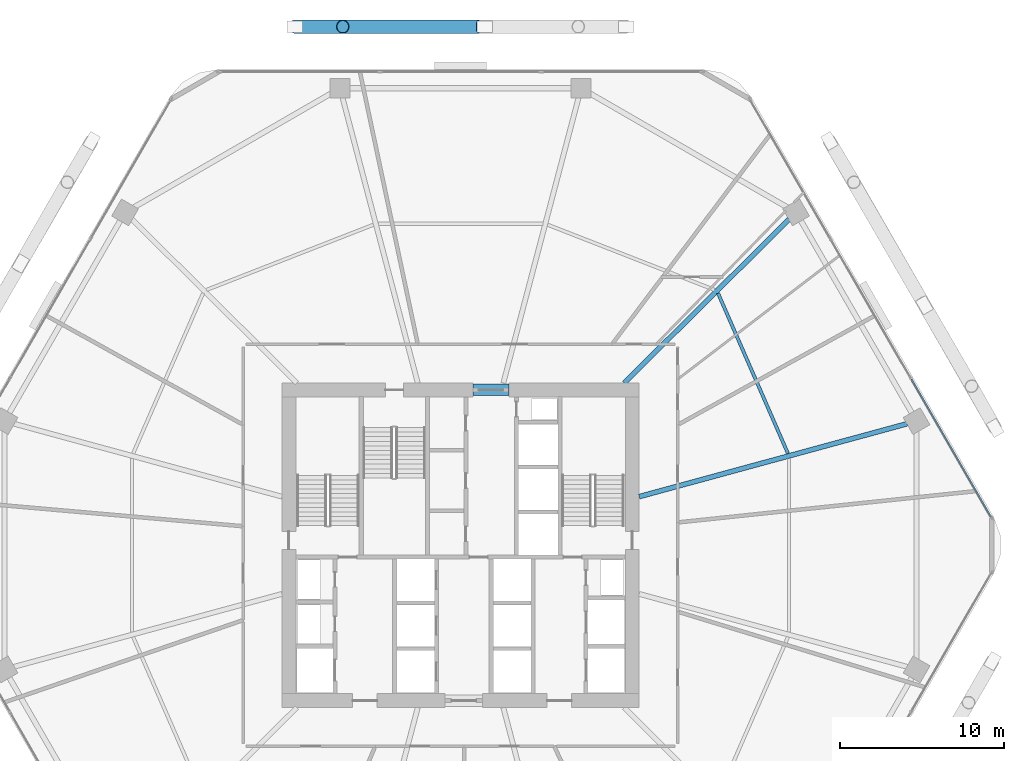
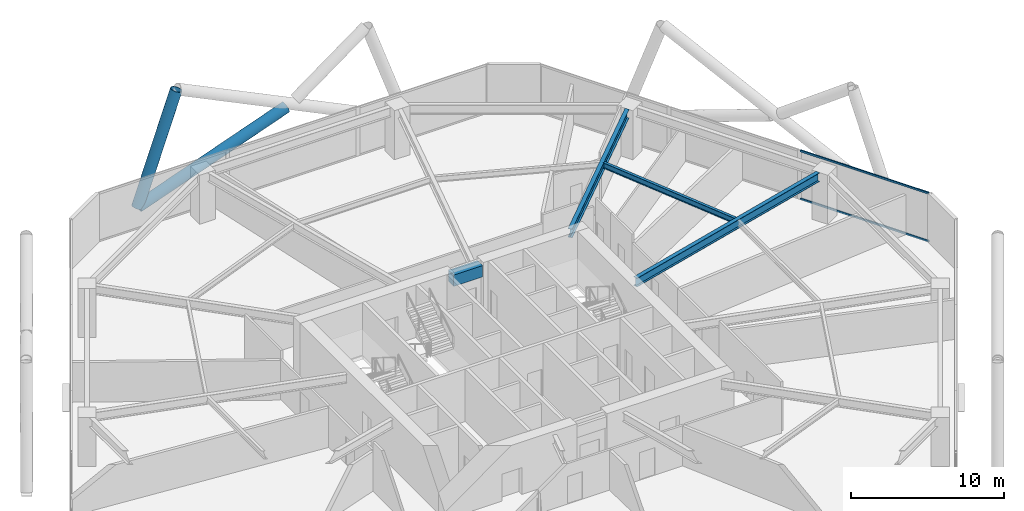
# One storey, part 18 of 30: 4 beams, 4 members, 1 element without a shape of its own.
"""IFC4 building model written with IfcOpenShell, lengths in metres."""

import ifcopenshell
import ifcopenshell.guid

model = None  # the IFC model being written
_history = None  # IfcOwnerHistory: only IFC2X3 demands one
_inside = {}  # id of a spatial element -> (the spatial element, [elements in it])
_under = {}  # id of a project, library or spatial element -> (it, [spatial elements below it])
_declared = {}  # id of a project -> (the project, [libraries it declares])
_typed = {}  # id of a type object -> (the type object, [elements of that type])
_made_of = {}  # id of a material, layer set ... -> (it, [elements and type objects made of it])


def new_model(schema):
    """Start an empty IFC model of exactly this schema.

    Asked for "IFC4X3", IfcOpenShell would pick the latest addendum, in which some entities
    have other attributes; the version numbers below select the first issue.
    IFC2X3 requires an IfcOwnerHistory on every rooted entity: one is made here for all.
    """
    global model, _history
    if schema == "IFC4X3":
        model = ifcopenshell.file(schema_version=(4, 3, 0, 0))
    else:
        model = ifcopenshell.file(schema=schema)
    _inside.clear()
    _under.clear()
    _declared.clear()
    _typed.clear()
    _made_of.clear()
    _history = None
    if model.schema == "IFC2X3":
        org = make("IfcOrganization", Name="unknown")
        user = make(
            "IfcPersonAndOrganization",
            ThePerson=make("IfcPerson", FamilyName="unknown"),
            TheOrganization=org,
        )
        app = make(
            "IfcApplication",
            ApplicationDeveloper=org,
            Version="unknown",
            ApplicationFullName="unknown",
            ApplicationIdentifier="unknown",
        )
        _history = make(
            "IfcOwnerHistory",
            OwningUser=user,
            OwningApplication=app,
            ChangeAction="ADDED",
            CreationDate=0,
        )
    return model


def make(cls, **values):
    """One entity of the class cls with the attributes given. An attribute that is None is left unset."""
    return model.create_entity(
        cls, **{name: value for name, value in values.items() if value is not None}
    )


def rooted(cls, **values):
    """An entity with a GlobalId (a new one), such as an element, a storey or a relation."""
    return make(cls, GlobalId=ifcopenshell.guid.new(), OwnerHistory=_history, **values)


def si_unit(unit_type, name, prefix=None):
    """IfcSIUnit, for example si_unit("LENGTHUNIT", "METRE", prefix="MILLI")."""
    return make("IfcSIUnit", UnitType=unit_type, Prefix=prefix, Name=name)


def assignment(units):
    """IfcUnitAssignment: the units of a project."""
    return None if units is None else make("IfcUnitAssignment", Units=units)


def point(xyz):
    """IfcCartesianPoint."""
    return None if xyz is None else make("IfcCartesianPoint", Coordinates=xyz)


def direction(xyz):
    """IfcDirection."""
    return None if xyz is None else make("IfcDirection", DirectionRatios=xyz)


def frame(location, z_axis=None, x_axis=None):
    """IfcAxis2Placement3D, a coordinate frame: its origin and axes. An axis left out is left unset."""
    return make(
        "IfcAxis2Placement3D",
        Location=point(location),
        Axis=direction(z_axis),
        RefDirection=direction(x_axis),
    )


def frame_2d(location, x_axis=None):
    """IfcAxis2Placement2D, a coordinate frame in the plane: its origin and x axis."""
    return make(
        "IfcAxis2Placement2D", Location=point(location), RefDirection=direction(x_axis)
    )


def origin():
    """The frame at (0, 0, 0) with its axes left unset."""
    return frame((0.0, 0.0, 0.0))


def origin_2d():
    """The frame at (0, 0) in the plane with its x axis left unset."""
    return frame_2d((0.0, 0.0))


def place(relative_to, where):
    """IfcLocalPlacement: puts the frame where relative to a parent placement (None: the world)."""
    return make(
        "IfcLocalPlacement", PlacementRelTo=relative_to, RelativePlacement=where
    )


def context(
    kind, dimensions, precision=None, world=None, true_north=None, identifier=None
):
    """IfcGeometricRepresentationContext, for example the 3D "Model" context."""
    return make(
        "IfcGeometricRepresentationContext",
        ContextIdentifier=identifier,
        ContextType=kind,
        CoordinateSpaceDimension=dimensions,
        Precision=precision,
        WorldCoordinateSystem=world,
        TrueNorth=true_north,
    )


def subcontext(parent, identifier, kind, view, scale=None):
    """IfcGeometricRepresentationSubContext, for example "Body" below "Model"."""
    return make(
        "IfcGeometricRepresentationSubContext",
        ContextIdentifier=identifier,
        ContextType=kind,
        ParentContext=parent,
        TargetScale=scale,
        TargetView=view,
    )


def project(units=None, contexts=None):
    """IfcProject with its units and contexts."""
    return rooted(
        "IfcProject",
        Name="project",
        RepresentationContexts=contexts,
        UnitsInContext=assignment(units),
    )


def spatial(cls, under=None, at=None, **own):
    """A site, building, storey or space (cls), placed at a placement, below another one or the project."""
    s = rooted(cls, ObjectPlacement=at, **own)
    if under is not None:
        _under.setdefault(under.id(), (under, []))[1].append(s)
    return s


def profile(cls, at=None, kind="AREA", **sizes):
    """A parametric profile (cls). Its sizes go by their IFC names, for example OverallWidth=200.0."""
    return make(cls, ProfileType=kind, Position=at, **sizes)


def rectangle(**sizes):
    """IfcRectangleProfileDef."""
    return profile("IfcRectangleProfileDef", **sizes)


def hollow_rectangle(**sizes):
    """IfcRectangleHollowProfileDef."""
    return profile("IfcRectangleHollowProfileDef", **sizes)


def hollow_circle(**sizes):
    """IfcCircleHollowProfileDef."""
    return profile("IfcCircleHollowProfileDef", **sizes)


def i_section(**sizes):
    """IfcIShapeProfileDef."""
    return profile("IfcIShapeProfileDef", **sizes)


def extrude(swept, where, along, depth):
    """IfcExtrudedAreaSolid: the profile swept, set in the frame where, extruded along a direction by depth."""
    return make(
        "IfcExtrudedAreaSolid",
        SweptArea=swept,
        Position=where,
        ExtrudedDirection=direction(along),
        Depth=depth,
    )


def shape(context_of_items, identifier, shape_type, items):
    """IfcShapeRepresentation: the items that make up one representation, for example the "Body"."""
    return make(
        "IfcShapeRepresentation",
        ContextOfItems=context_of_items,
        RepresentationIdentifier=identifier,
        RepresentationType=shape_type,
        Items=items,
    )


def material(Name=None, Category=None):
    """IfcMaterial."""
    return make("IfcMaterial", Name=Name, Category=Category)


def material_profile(
    of_material, cross_section, Name=None, Category=None, Priority=None
):
    """IfcMaterialProfile: a cross section and its material."""
    return make(
        "IfcMaterialProfile",
        Name=Name,
        Material=of_material,
        Profile=cross_section,
        Priority=Priority,
        Category=Category,
    )


def profile_set(profiles, Name=None, composite=None):
    """IfcMaterialProfileSet."""
    return make(
        "IfcMaterialProfileSet",
        Name=Name,
        MaterialProfiles=profiles,
        CompositeProfile=composite,
    )


def made_of(thing, what):
    """Note that an element or type object is made of a material, layer set ...; save() writes the relation."""
    if what is not None:
        _made_of.setdefault(what.id(), (what, []))[1].append(thing)
    return thing


def type_object(cls, material=None, **own):
    """A type object (cls), such as IfcWallType, which elements share."""
    return made_of(rooted(cls, **own), material)


def element(
    cls,
    number,
    at=None,
    inside=None,
    cuts=None,
    type_object=None,
    material=None,
    context=None,
    identifier="Body",
    shape_type=None,
    held_by="IfcProductDefinitionShape",
    body=None,
    shapes=None,
    **own,
):
    """One element of the class cls, such as IfcWall. Its Tag is "e" and its number.

    at: its placement. inside: the storey or other place that contains it. cuts: it is an
    opening in that element (IfcRelVoidsElement). A single representation is given by context,
    identifier, shape_type and body (its items); several are given by shapes. held_by: the class
    of the entity that holds the representations. save() writes the other relations.
    """
    e = rooted(cls, Tag="e%d" % number, ObjectPlacement=at, **own)
    if body is not None:
        shapes = [shape(context, identifier, shape_type, body)]
    if shapes is not None:
        e.Representation = make(held_by, Representations=shapes)
    if inside is not None:
        _inside.setdefault(inside.id(), (inside, []))[1].append(e)
    if cuts is not None:
        rooted(
            "IfcRelVoidsElement", RelatingBuildingElement=cuts, RelatedOpeningElement=e
        )
    if type_object is not None:
        _typed.setdefault(type_object.id(), (type_object, []))[1].append(e)
    return made_of(e, material)


def aggregate(whole, parts):
    """IfcRelAggregates: a whole, such as a stair, and the parts it consists of."""
    return rooted("IfcRelAggregates", RelatingObject=whole, RelatedObjects=parts)


def save(model, path):
    """Write the relations noted so far, then the file.

    IfcRelAggregates (storeys below a building ...), IfcRelContainedInSpatialStructure (elements
    in a storey), IfcRelDefinesByType, IfcRelAssociatesMaterial and IfcRelDeclares: one each for
    every whole, place, type object, material and project.
    """
    for whole, parts in _under.values():
        aggregate(whole, parts)
    for where, things in _inside.values():
        rooted(
            "IfcRelContainedInSpatialStructure",
            RelatedElements=things,
            RelatingStructure=where,
        )
    for kind, things in _typed.values():
        rooted("IfcRelDefinesByType", RelatedObjects=things, RelatingType=kind)
    for what, things in _made_of.values():
        rooted("IfcRelAssociatesMaterial", RelatedObjects=things, RelatingMaterial=what)
    for by, libraries in _declared.values():
        rooted("IfcRelDeclares", RelatingContext=by, RelatedDefinitions=libraries)
    model.write(path)


model = new_model("IFC4")

# Units and contexts
model_context = context("Model", 3, precision=1e-05, world=origin(), true_north=direction((0.0, 1.0)))
body_context = subcontext(model_context, "Body", "Model", "MODEL_VIEW")
ifc_project = project(units=[si_unit("LENGTHUNIT", "METRE"), si_unit("AREAUNIT", "SQUARE_METRE"), si_unit("VOLUMEUNIT", "CUBIC_METRE"), si_unit("PLANEANGLEUNIT", "RADIAN"), si_unit("MASSUNIT", "GRAM", prefix="KILO")], contexts=[model_context])

# Site, building, storey
site_placement = place(None, origin())
site = spatial("IfcSite", under=ifc_project, at=site_placement, CompositionType="ELEMENT")
building_placement = place(site_placement, origin())
building = spatial("IfcBuilding", under=site, at=building_placement, Name="Zuhravey Tower", CompositionType="ELEMENT")
storey_placement = place(building_placement, frame((0.0, 0.0, 58.199951171875)))
storey = spatial("IfcBuildingStorey", under=building, at=storey_placement, Name="L14", CompositionType="ELEMENT", Elevation=58.199951171875)

# Beam
ifc_material_1 = material(Name="Concrete C60/75", Category="concrete")
ifc_material_profile_1 = material_profile(ifc_material_1, rectangle(XDim=0.699951171875, YDim=0.89990234375, at=origin_2d()), Name="RC-700x900")
ifc_profile_set_1 = profile_set([ifc_material_profile_1], Name="Concrete C60/75")
beam_type_1 = type_object("IfcBeamType", Name="Core Coupling Beam RC700x900", PredefinedType="LINTEL", material=ifc_profile_set_1)
beam_1_placement = place(storey_placement, frame((36.751953125, 41.5, 3.469970703125), z_axis=(1.0, 0.0, 0.0), x_axis=(0.0, 1.0, 0.0)))
element("IfcBeam", 1, at=beam_1_placement, inside=storey, type_object=beam_type_1, Name="L14 CB1 BM-L14-CB-N", PredefinedType="LINTEL", context=body_context, shape_type="SweptSolid", body=[
    extrude(rectangle(XDim=0.699951171875, YDim=0.89990234375, at=origin_2d()), origin(), (0.0, 0.0, 1.0), 2.196044921875),
])

# Curtain wall, members
ifc_material_2 = material(Name="Thermally broken anodised aluminium", Category="aluminium")
curtain_wall_type = type_object("IfcCurtainWallType", Name="School Low-E Unitised Curtain Wall CW1", PredefinedType="NOTDEFINED", material=ifc_material_2)
curtain_wall_placement = place(storey_placement, origin())
curtain_wall = element("IfcCurtainWall", 2, at=curtain_wall_placement, inside=storey, type_object=curtain_wall_type, Name="L14 CW1 CW-L14-F1-1", PredefinedType="NOTDEFINED")
ifc_material_3 = material(Name="Anodised aluminium", Category="aluminium")
ifc_material_profile_2 = material_profile(ifc_material_3, hollow_rectangle(XDim=0.090087890625, YDim=0.14990234375, WallThickness=0.0048828125, at=origin_2d()), Name="ALU-RHS-90x150x5")
ifc_profile_set_2 = profile_set([ifc_material_profile_2], Name="Anodised aluminium")
member_type_1 = type_object("IfcMemberType", Name="Curtain-Wall Transom 90x150", PredefinedType="USERDEFINED", material=ifc_profile_set_2)
member_1_placement = place(storey_placement, frame((63.56787109375, 42.16796875, 0.045166015625), z_axis=(0.500008393077, -0.866020557985, 0.0), x_axis=(0.866020557985, 0.500008393077, 0.0)))
member_1 = element("IfcMember", 3, at=member_1_placement, type_object=member_type_1, Name="CW1 transom 3.1", ObjectType="TRANSOM", PredefinedType="USERDEFINED", context=body_context, shape_type="SweptSolid", body=[
    extrude(hollow_rectangle(XDim=0.090087890625, YDim=0.14990234375, WallThickness=0.0048828125, at=origin_2d()), origin(), (0.0, 0.0, 1.0), 9.731201171875),
])
member_2_placement = place(storey_placement, frame((63.56787109375, 42.16796875, 3.875), z_axis=(0.500008393077, -0.866020557985, 0.0), x_axis=(0.866020557985, 0.500008393077, 0.0)))
member_2 = element("IfcMember", 4, at=member_2_placement, type_object=member_type_1, Name="CW1 transom 3.2", ObjectType="TRANSOM", PredefinedType="USERDEFINED", context=body_context, shape_type="SweptSolid", body=[
    extrude(hollow_rectangle(XDim=0.090087890625, YDim=0.14990234375, WallThickness=0.0048828125, at=origin_2d()), origin(), (0.0, 0.0, 1.0), 9.731201171875),
])
aggregate(curtain_wall, [member_1, member_2])

# Members
ifc_material_4 = material(Name="Steel SM460", Category="steel")
ifc_material_profile_3 = material_profile(ifc_material_4, hollow_circle(Radius=0.406494140625, WallThickness=0.035888671875, at=origin_2d()), Name="CHS-812.8x36")
ifc_profile_set_3 = profile_set([ifc_material_profile_3], Name="Steel SM460")
member_type_2 = type_object("IfcMemberType", Name="Exoskeleton Zone 1 Diagrid CHS813x36", PredefinedType="BRACE", material=ifc_profile_set_3)
member_3_placement = place(storey_placement, frame((25.870849609375, 63.718505859375, -0.471923828125), z_axis=(0.330642732694, 0.0, 0.943755997764), x_axis=(0.0, 1.0, 0.0)))
element("IfcMember", 5, at=member_3_placement, inside=storey, type_object=member_type_2, Name="L14 Face 2 Diagrid Brace 4", PredefinedType="BRACE", context=body_context, shape_type="SweptSolid", body=[
    extrude(hollow_circle(Radius=0.406494140625, WallThickness=0.035888671875, at=origin_2d()), origin(), (0.0, 0.0, 1.0), 8.85400390625),
])
member_4_placement = place(storey_placement, frame((25.91064453125, 63.718505859375, -0.476806640625), z_axis=(0.940345778903, 0.0, 0.340220246458), x_axis=(0.0, 1.0, 0.0)))
element("IfcMember", 6, at=member_4_placement, inside=storey, type_object=member_type_2, Name="L14 Face 2 Split Diagrid Brace 3A", PredefinedType="BRACE", context=body_context, shape_type="SweptSolid", body=[
    extrude(hollow_circle(Radius=0.406494140625, WallThickness=0.035888671875, at=origin_2d()), origin(), (0.0, 0.0, 1.0), 11.897705078125),
])

# Beams
ifc_material_5 = material(Name="Steel SM355", Category="steel")
ifc_material_profile_4 = material_profile(ifc_material_5, i_section(OverallWidth=0.300048828125, OverallDepth=0.699951171875, WebThickness=0.012939453125, FlangeThickness=0.02392578125, at=origin_2d()), Name="H-700x300x13x24")
ifc_profile_set_4 = profile_set([ifc_material_profile_4], Name="Steel SM355")
beam_type_2 = type_object("IfcBeamType", Name="Radial Primary Girder H700x300", PredefinedType="BEAM", material=ifc_profile_set_4)
beam_2_placement = place(storey_placement, frame((46.927978515625, 34.974609375, 3.570068359375), z_axis=(0.964892480455, 0.26264520015, 0.0), x_axis=(-0.26264520015, 0.964892480455, 0.0)))
element("IfcBeam", 7, at=beam_2_placement, inside=storey, type_object=beam_type_2, Name="L14 RG1 BM-L14-RAD-01", PredefinedType="BEAM", context=body_context, shape_type="SweptSolid", body=[
    extrude(i_section(OverallWidth=0.300048828125, OverallDepth=0.699951171875, WebThickness=0.012939453125, FlangeThickness=0.02392578125, at=origin_2d()), origin(), (0.0, 0.0, 1.0), 16.975341796875),
])
beam_3_placement = place(storey_placement, frame((46.007080078125, 41.927978515625, 3.570068359375), z_axis=(0.709902823282, 0.704299639, 0.0), x_axis=(-0.704299639, 0.709902823282, 0.0)))
element("IfcBeam", 8, at=beam_3_placement, inside=storey, type_object=beam_type_2, Name="L14 RG1 BM-L14-RAD-02", PredefinedType="BEAM", context=body_context, shape_type="SweptSolid", body=[
    extrude(i_section(OverallWidth=0.300048828125, OverallDepth=0.699951171875, WebThickness=0.012939453125, FlangeThickness=0.02392578125, at=origin_2d()), origin(), (0.0, 0.0, 1.0), 14.204345703125),
])
ifc_material_profile_5 = material_profile(ifc_material_5, i_section(OverallWidth=0.199951171875, OverallDepth=0.449951171875, WebThickness=0.009033203125, FlangeThickness=0.013916015625, at=origin_2d()), Name="H-450x200x9x14")
ifc_profile_set_5 = profile_set([ifc_material_profile_5], Name="Steel SM355")
beam_type_3 = type_object("IfcBeamType", Name="Secondary Floor Joist H450x200", PredefinedType="JOIST", material=ifc_profile_set_5)
beam_4_placement = place(storey_placement, frame((56.025390625, 37.60888671875, 3.695068359375), z_axis=(-0.399923551578, 0.916548500022, 0.0), x_axis=(-0.916548500022, -0.399923551578, 0.0)))
element("IfcBeam", 9, at=beam_4_placement, inside=storey, type_object=beam_type_3, Name="L14 SJ1 BM-L14-SJ-01-1", PredefinedType="JOIST", context=body_context, shape_type="SweptSolid", body=[
    extrude(i_section(OverallWidth=0.199951171875, OverallDepth=0.449951171875, WebThickness=0.009033203125, FlangeThickness=0.013916015625, at=origin_2d()), origin(), (0.0, 0.0, 1.0), 10.70263671875),
])

save(model, "model.ifc")
